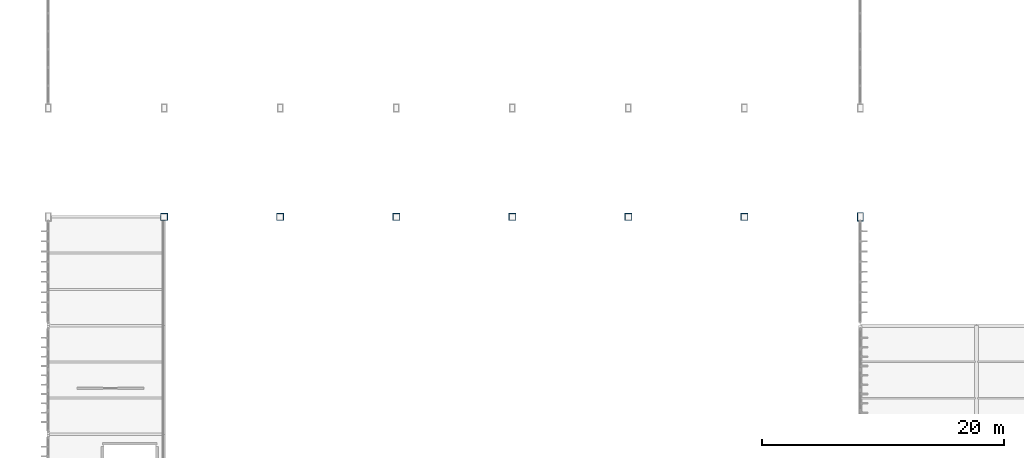
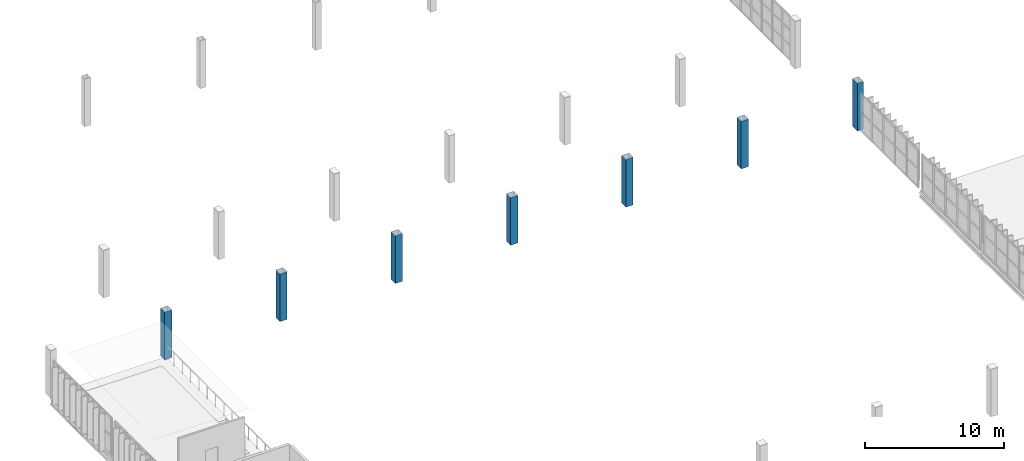
# One storey, part 6 of 82: 7 columns.
"""IFC4 building model written with IfcOpenShell, lengths in metres."""

from ifc_helpers import new_model, si_unit, direction, frame, origin, origin_2d, place, context, subcontext, project, spatial, hollow_rectangle, extrude, material, material_profile, profile_set, type_object, element, save


model = new_model("IFC4")

# Units and contexts
model_context = context("Model", 3, precision=1e-05, world=origin(), true_north=direction((0.0, 1.0)))
body_context = subcontext(model_context, "Body", "Model", "MODEL_VIEW")
ifc_project = project(units=[si_unit("LENGTHUNIT", "METRE"), si_unit("AREAUNIT", "SQUARE_METRE"), si_unit("VOLUMEUNIT", "CUBIC_METRE"), si_unit("PLANEANGLEUNIT", "RADIAN"), si_unit("MASSUNIT", "GRAM", prefix="KILO")], contexts=[model_context])

# Site, building, storey
site_placement = place(None, origin())
site = spatial("IfcSite", under=ifc_project, at=site_placement, CompositionType="ELEMENT")
building_placement = place(site_placement, origin())
building = spatial("IfcBuilding", under=site, at=building_placement, Name="Zarnetskaya Central Station", CompositionType="ELEMENT")
storey_placement = place(building_placement, frame((0.0, 0.0, 10.199951171875)))
storey = spatial("IfcBuildingStorey", under=building, at=storey_placement, Name="L02", CompositionType="ELEMENT", Elevation=10.199951171875)

# Columns
ifc_material = material(Name="Steel S355", Category="steel")
ifc_material_profile_1 = material_profile(ifc_material, hollow_rectangle(XDim=0.5, YDim=0.699951171875, WallThickness=0.031982421875, at=origin_2d()), Name="BOX 700x500x32")
ifc_profile_set_1 = profile_set([ifc_material_profile_1], Name="Steel S355")
column_type_1 = type_object("IfcColumnType", Name="COL-V2-HALL", PredefinedType="COLUMN", material=ifc_profile_set_1)
column_placement = place(storey_placement, frame((124.800048828125, 58.199951171875, 0.0), z_axis=(0.0, 0.0, 1.0), x_axis=(1.0, 0.0, 0.0)))
element("IfcColumn", 1, at=column_placement, inside=storey, type_object=column_type_1, Name="Column P8 L02", PredefinedType="COLUMN", context=body_context, shape_type="SweptSolid", body=[
    extrude(hollow_rectangle(XDim=0.5, YDim=0.699951171875, WallThickness=0.031982421875, at=origin_2d()), origin(), (0.0, 0.0, 1.0), 4.18798828125),
])
ifc_material_profile_2 = material_profile(ifc_material, hollow_rectangle(XDim=0.60009765625, YDim=0.60009765625, WallThickness=0.030029296875, at=origin_2d()), Name="BOX 600x600x30")
ifc_profile_set_2 = profile_set([ifc_material_profile_2], Name="Steel S355")
column_type_2 = type_object("IfcColumnType", Name="COL-V2-INT", PredefinedType="COLUMN", material=ifc_profile_set_2)
for number, where, z_axis, x_axis, name in (
    (2, (67.199951171875, 58.199951171875, 0.0), (0.0, 0.0, 1.0), (1.0, 0.0, 0.0), "Column H8 L02"),
    (3, (76.800048828125, 58.199951171875, 0.0), (0.0, 0.0, 1.0), (1.0, 0.0, 0.0), "Column J8 L02"),
    (4, (86.39990234375, 58.199951171875, 0.0), (0.0, 0.0, 1.0), (1.0, 0.0, 0.0), "Column K8 L02"),
    (5, (96.0, 58.199951171875, 0.0), (0.0, 0.0, 1.0), (1.0, 0.0, 0.0), "Column L8 L02"),
    (6, (105.60009765625, 58.199951171875, 0.0), (0.0, 0.0, 1.0), (1.0, 0.0, 0.0), "Column M8 L02"),
    (7, (115.199951171875, 58.199951171875, 0.0), (0.0, 0.0, 1.0), (1.0, 0.0, 0.0), "Column N8 L02"),
):
    element("IfcColumn", number, at=place(storey_placement, frame(where, z_axis=z_axis, x_axis=x_axis)), inside=storey, type_object=column_type_2, Name=name, PredefinedType="COLUMN", context=body_context, shape_type="SweptSolid", body=[
        extrude(hollow_rectangle(XDim=0.60009765625, YDim=0.60009765625, WallThickness=0.030029296875, at=origin_2d()), origin(), (0.0, 0.0, 1.0), 4.18798828125),
    ])

save(model, "model.ifc")
